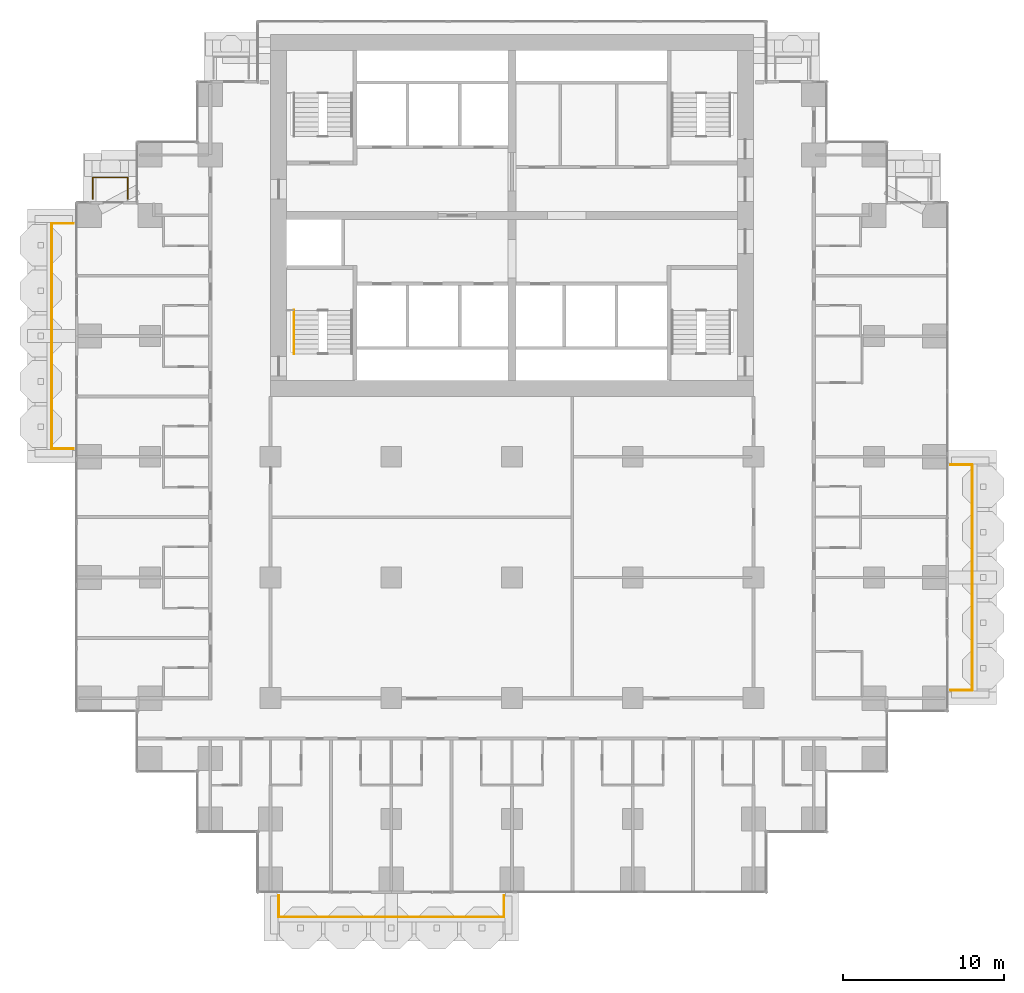
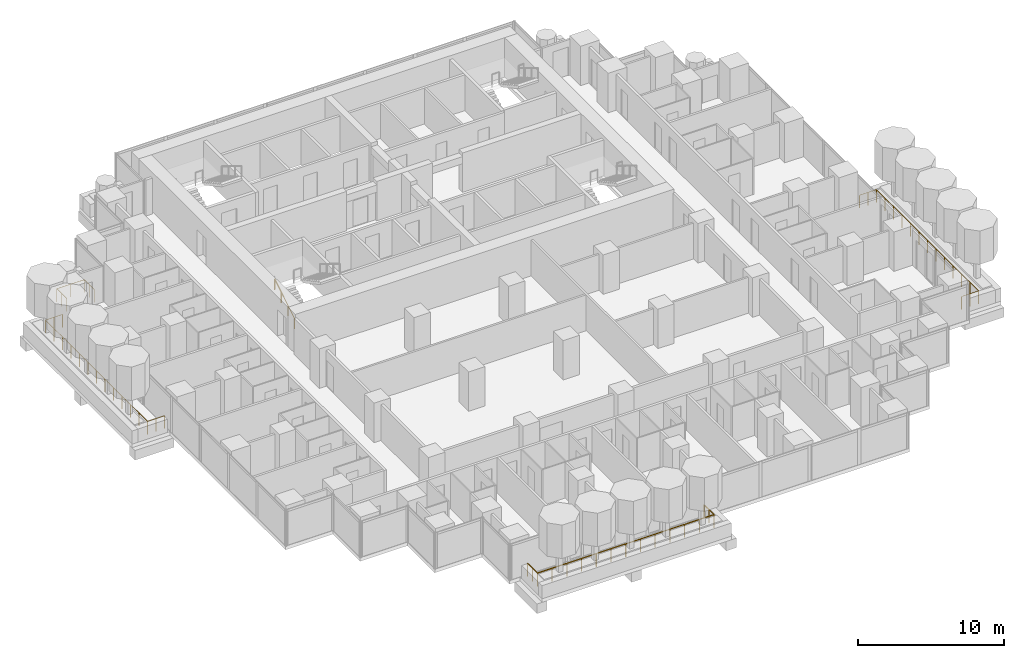
# One storey, part 17 of 19: 5 railings.
"""IFC4 building model written with IfcOpenShell, lengths in metres."""

from ifc_helpers import new_model, si_unit, direction, frame, origin, origin_2d, place, context, subcontext, project, spatial, circle, extrude, material, type_object, element, save


model = new_model("IFC4")

# Units and contexts
model_context = context("Model", 3, precision=1e-05, world=origin(), true_north=direction((0.0, 1.0)))
body_context = subcontext(model_context, "Body", "Model", "MODEL_VIEW")
ifc_project = project(units=[si_unit("LENGTHUNIT", "METRE"), si_unit("AREAUNIT", "SQUARE_METRE"), si_unit("VOLUMEUNIT", "CUBIC_METRE"), si_unit("PLANEANGLEUNIT", "RADIAN"), si_unit("MASSUNIT", "GRAM", prefix="KILO")], contexts=[model_context])

# Site, building, storey
site_placement = place(None, origin())
site = spatial("IfcSite", under=ifc_project, at=site_placement, CompositionType="ELEMENT")
building_placement = place(site_placement, origin())
building = spatial("IfcBuilding", under=site, at=building_placement, Name="Pilkhan Gate Tower", CompositionType="ELEMENT")
storey_placement = place(building_placement, frame((0.0, 0.0, 62.60009765625)))
storey = spatial("IfcBuildingStorey", under=building, at=storey_placement, Name="L13", CompositionType="ELEMENT", Elevation=62.60009765625)

# Railings
ifc_material_1 = material(Name="Pale anodised aluminium posts, laminated glass infill", Category="aluminium")
railing_type_1 = type_object("IfcRailingType", Name="Balcony guard G1", PredefinedType="BALUSTRADE", material=ifc_material_1)
railing_1_placement = place(storey_placement, frame((60.5, 40.25, 0.0)))
element("IfcRailing", 1, at=railing_1_placement, inside=storey, type_object=railing_type_1, Name="Balcony guard L13 S", PredefinedType="BALUSTRADE", context=body_context, shape_type="SweptSolid", body=[
    extrude(circle(Radius=0.02392578125, at=origin_2d()), frame((0.0, 0.0, 1.076171875), z_axis=(0.0, -1.0, 0.0), x_axis=(1.0, 0.0, 0.0)), (0.0, 0.0, 1.0), 1.35009765625),
    extrude(circle(Radius=0.02392578125, at=origin_2d()), frame((0.0, -1.35009765625, 1.076171875), z_axis=(1.0, 0.0, 0.0), x_axis=(0.0, 1.0, 0.0)), (0.0, 0.0, 1.0), 14.0),
    extrude(circle(Radius=0.02392578125, at=origin_2d()), frame((14.0, -1.35009765625, 1.076171875), z_axis=(0.0, 1.0, 0.0), x_axis=(-1.0, 0.0, 0.0)), (0.0, 0.0, 1.0), 1.35009765625),
    extrude(circle(Radius=0.02099609375, at=origin_2d()), origin(), (0.0, 0.0, 1.0), 1.052001953125),
    extrude(circle(Radius=0.02099609375, at=origin_2d()), frame((0.0, -0.675048828125, 0.0)), (0.0, 0.0, 1.0), 1.052001953125),
    extrude(circle(Radius=0.02099609375, at=origin_2d()), frame((0.0, -1.35009765625, 0.0)), (0.0, 0.0, 1.0), 1.052001953125),
    extrude(circle(Radius=0.02099609375, at=origin_2d()), frame((1.166748046875, -1.35009765625, 0.0)), (0.0, 0.0, 1.0), 1.052001953125),
    extrude(circle(Radius=0.02099609375, at=origin_2d()), frame((2.333251953125, -1.35009765625, 0.0)), (0.0, 0.0, 1.0), 1.052001953125),
    extrude(circle(Radius=0.02099609375, at=origin_2d()), frame((3.5, -1.35009765625, 0.0)), (0.0, 0.0, 1.0), 1.052001953125),
    extrude(circle(Radius=0.02099609375, at=origin_2d()), frame((4.666748046875, -1.35009765625, 0.0)), (0.0, 0.0, 1.0), 1.052001953125),
    extrude(circle(Radius=0.02099609375, at=origin_2d()), frame((5.833251953125, -1.35009765625, 0.0)), (0.0, 0.0, 1.0), 1.052001953125),
    extrude(circle(Radius=0.02099609375, at=origin_2d()), frame((7.0, -1.35009765625, 0.0)), (0.0, 0.0, 1.0), 1.052001953125),
    extrude(circle(Radius=0.02099609375, at=origin_2d()), frame((8.166748046875, -1.35009765625, 0.0)), (0.0, 0.0, 1.0), 1.052001953125),
    extrude(circle(Radius=0.02099609375, at=origin_2d()), frame((9.333251953125, -1.35009765625, 0.0)), (0.0, 0.0, 1.0), 1.052001953125),
    extrude(circle(Radius=0.02099609375, at=origin_2d()), frame((10.5, -1.35009765625, 0.0)), (0.0, 0.0, 1.0), 1.052001953125),
    extrude(circle(Radius=0.02099609375, at=origin_2d()), frame((11.666748046875, -1.35009765625, 0.0)), (0.0, 0.0, 1.0), 1.052001953125),
    extrude(circle(Radius=0.02099609375, at=origin_2d()), frame((12.833251953125, -1.35009765625, 0.0)), (0.0, 0.0, 1.0), 1.052001953125),
    extrude(circle(Radius=0.02099609375, at=origin_2d()), frame((14.0, -1.35009765625, 0.0)), (0.0, 0.0, 1.0), 1.052001953125),
    extrude(circle(Radius=0.02099609375, at=origin_2d()), frame((14.0, -0.675048828125, 0.0)), (0.0, 0.0, 1.0), 1.052001953125),
    extrude(circle(Radius=0.02099609375, at=origin_2d()), frame((14.0, 0.0, 0.0)), (0.0, 0.0, 1.0), 1.052001953125),
])
railing_2_placement = place(storey_placement, frame((102.25, 53.0, 0.0)))
element("IfcRailing", 2, at=railing_2_placement, inside=storey, type_object=railing_type_1, Name="Balcony guard L13 E", PredefinedType="BALUSTRADE", context=body_context, shape_type="SweptSolid", body=[
    extrude(circle(Radius=0.02392578125, at=origin_2d()), frame((0.0, 0.0, 1.076171875), z_axis=(1.0, 0.0, 0.0), x_axis=(0.0, 1.0, 0.0)), (0.0, 0.0, 1.0), 1.35009765625),
    extrude(circle(Radius=0.02392578125, at=origin_2d()), frame((1.35009765625, 0.0, 1.076171875), z_axis=(0.0, 1.0, 0.0), x_axis=(-1.0, 0.0, 0.0)), (0.0, 0.0, 1.0), 14.0),
    extrude(circle(Radius=0.02392578125, at=origin_2d()), frame((1.35009765625, 14.0, 1.076171875), z_axis=(-1.0, 0.0, 0.0), x_axis=(0.0, -1.0, 0.0)), (0.0, 0.0, 1.0), 1.35009765625),
    extrude(circle(Radius=0.02099609375, at=origin_2d()), origin(), (0.0, 0.0, 1.0), 1.052001953125),
    extrude(circle(Radius=0.02099609375, at=origin_2d()), frame((0.675048828125, 0.0, 0.0)), (0.0, 0.0, 1.0), 1.052001953125),
    extrude(circle(Radius=0.02099609375, at=origin_2d()), frame((1.35009765625, 0.0, 0.0)), (0.0, 0.0, 1.0), 1.052001953125),
    extrude(circle(Radius=0.02099609375, at=origin_2d()), frame((1.35009765625, 1.166748046875, 0.0)), (0.0, 0.0, 1.0), 1.052001953125),
    extrude(circle(Radius=0.02099609375, at=origin_2d()), frame((1.35009765625, 2.333251953125, 0.0)), (0.0, 0.0, 1.0), 1.052001953125),
    extrude(circle(Radius=0.02099609375, at=origin_2d()), frame((1.35009765625, 3.5, 0.0)), (0.0, 0.0, 1.0), 1.052001953125),
    extrude(circle(Radius=0.02099609375, at=origin_2d()), frame((1.35009765625, 4.666748046875, 0.0)), (0.0, 0.0, 1.0), 1.052001953125),
    extrude(circle(Radius=0.02099609375, at=origin_2d()), frame((1.35009765625, 5.833251953125, 0.0)), (0.0, 0.0, 1.0), 1.052001953125),
    extrude(circle(Radius=0.02099609375, at=origin_2d()), frame((1.35009765625, 7.0, 0.0)), (0.0, 0.0, 1.0), 1.052001953125),
    extrude(circle(Radius=0.02099609375, at=origin_2d()), frame((1.35009765625, 8.166748046875, 0.0)), (0.0, 0.0, 1.0), 1.052001953125),
    extrude(circle(Radius=0.02099609375, at=origin_2d()), frame((1.35009765625, 9.333251953125, 0.0)), (0.0, 0.0, 1.0), 1.052001953125),
    extrude(circle(Radius=0.02099609375, at=origin_2d()), frame((1.35009765625, 10.5, 0.0)), (0.0, 0.0, 1.0), 1.052001953125),
    extrude(circle(Radius=0.02099609375, at=origin_2d()), frame((1.35009765625, 11.666748046875, 0.0)), (0.0, 0.0, 1.0), 1.052001953125),
    extrude(circle(Radius=0.02099609375, at=origin_2d()), frame((1.35009765625, 12.833251953125, 0.0)), (0.0, 0.0, 1.0), 1.052001953125),
    extrude(circle(Radius=0.02099609375, at=origin_2d()), frame((1.35009765625, 14.0, 0.0)), (0.0, 0.0, 1.0), 1.052001953125),
    extrude(circle(Radius=0.02099609375, at=origin_2d()), frame((0.675048828125, 14.0, 0.0)), (0.0, 0.0, 1.0), 1.052001953125),
    extrude(circle(Radius=0.02099609375, at=origin_2d()), frame((0.0, 14.0, 0.0)), (0.0, 0.0, 1.0), 1.052001953125),
])
railing_3_placement = place(storey_placement, frame((48.949951171875, 83.52001953125, 0.0)))
element("IfcRailing", 3, at=railing_3_placement, inside=storey, type_object=railing_type_1, Name="Balcony guard L13 N", PredefinedType="BALUSTRADE", context=body_context, shape_type="SweptSolid", body=[
    extrude(circle(Radius=0.02392578125, at=origin_2d()), frame((0.0, 0.0, 1.076171875), z_axis=(0.0, 1.0, 0.0), x_axis=(-1.0, 0.0, 0.0)), (0.0, 0.0, 1.0), 1.330078125),
    extrude(circle(Radius=0.02392578125, at=origin_2d()), frame((0.0, 1.330078125, 1.076171875), z_axis=(1.0, 0.0, 0.0), x_axis=(0.0, 1.0, 0.0)), (0.0, 0.0, 1.0), 2.179931640625),
    extrude(circle(Radius=0.02392578125, at=origin_2d()), frame((2.179931640625, 1.330078125, 1.076171875), z_axis=(0.0, -1.0, 0.0), x_axis=(1.0, 0.0, 0.0)), (0.0, 0.0, 1.0), 1.330078125),
    extrude(circle(Radius=0.02099609375, at=origin_2d()), origin(), (0.0, 0.0, 1.0), 1.052001953125),
    extrude(circle(Radius=0.02099609375, at=origin_2d()), frame((0.0, 0.6650390625, 0.0)), (0.0, 0.0, 1.0), 1.052001953125),
    extrude(circle(Radius=0.02099609375, at=origin_2d()), frame((0.0, 1.330078125, 0.0)), (0.0, 0.0, 1.0), 1.052001953125),
    extrude(circle(Radius=0.02099609375, at=origin_2d()), frame((1.08984375, 1.330078125, 0.0)), (0.0, 0.0, 1.0), 1.052001953125),
    extrude(circle(Radius=0.02099609375, at=origin_2d()), frame((2.179931640625, 1.330078125, 0.0)), (0.0, 0.0, 1.0), 1.052001953125),
    extrude(circle(Radius=0.02099609375, at=origin_2d()), frame((2.179931640625, 0.6650390625, 0.0)), (0.0, 0.0, 1.0), 1.052001953125),
    extrude(circle(Radius=0.02099609375, at=origin_2d()), frame((2.179931640625, 0.0, 0.0)), (0.0, 0.0, 1.0), 1.052001953125),
])
railing_4_placement = place(storey_placement, frame((47.75, 68.0, 0.0)))
element("IfcRailing", 4, at=railing_4_placement, inside=storey, type_object=railing_type_1, Name="Balcony guard L13 W", PredefinedType="BALUSTRADE", context=body_context, shape_type="SweptSolid", body=[
    extrude(circle(Radius=0.02392578125, at=origin_2d()), frame((0.0, 0.0, 1.076171875), z_axis=(-1.0, 0.0, 0.0), x_axis=(0.0, -1.0, 0.0)), (0.0, 0.0, 1.0), 1.35009765625),
    extrude(circle(Radius=0.02392578125, at=origin_2d()), frame((-1.35009765625, 0.0, 1.076171875), z_axis=(0.0, 1.0, 0.0), x_axis=(-1.0, 0.0, 0.0)), (0.0, 0.0, 1.0), 14.0),
    extrude(circle(Radius=0.02392578125, at=origin_2d()), frame((-1.35009765625, 14.0, 1.076171875), z_axis=(1.0, 0.0, 0.0), x_axis=(0.0, 1.0, 0.0)), (0.0, 0.0, 1.0), 1.35009765625),
    extrude(circle(Radius=0.02099609375, at=origin_2d()), origin(), (0.0, 0.0, 1.0), 1.052001953125),
    extrude(circle(Radius=0.02099609375, at=origin_2d()), frame((-0.675048828125, 0.0, 0.0)), (0.0, 0.0, 1.0), 1.052001953125),
    extrude(circle(Radius=0.02099609375, at=origin_2d()), frame((-1.35009765625, 0.0, 0.0)), (0.0, 0.0, 1.0), 1.052001953125),
    extrude(circle(Radius=0.02099609375, at=origin_2d()), frame((-1.35009765625, 1.166748046875, 0.0)), (0.0, 0.0, 1.0), 1.052001953125),
    extrude(circle(Radius=0.02099609375, at=origin_2d()), frame((-1.35009765625, 2.333251953125, 0.0)), (0.0, 0.0, 1.0), 1.052001953125),
    extrude(circle(Radius=0.02099609375, at=origin_2d()), frame((-1.35009765625, 3.5, 0.0)), (0.0, 0.0, 1.0), 1.052001953125),
    extrude(circle(Radius=0.02099609375, at=origin_2d()), frame((-1.35009765625, 4.666748046875, 0.0)), (0.0, 0.0, 1.0), 1.052001953125),
    extrude(circle(Radius=0.02099609375, at=origin_2d()), frame((-1.35009765625, 5.833251953125, 0.0)), (0.0, 0.0, 1.0), 1.052001953125),
    extrude(circle(Radius=0.02099609375, at=origin_2d()), frame((-1.35009765625, 7.0, 0.0)), (0.0, 0.0, 1.0), 1.052001953125),
    extrude(circle(Radius=0.02099609375, at=origin_2d()), frame((-1.35009765625, 8.166748046875, 0.0)), (0.0, 0.0, 1.0), 1.052001953125),
    extrude(circle(Radius=0.02099609375, at=origin_2d()), frame((-1.35009765625, 9.333251953125, 0.0)), (0.0, 0.0, 1.0), 1.052001953125),
    extrude(circle(Radius=0.02099609375, at=origin_2d()), frame((-1.35009765625, 10.5, 0.0)), (0.0, 0.0, 1.0), 1.052001953125),
    extrude(circle(Radius=0.02099609375, at=origin_2d()), frame((-1.35009765625, 11.666748046875, 0.0)), (0.0, 0.0, 1.0), 1.052001953125),
    extrude(circle(Radius=0.02099609375, at=origin_2d()), frame((-1.35009765625, 12.833251953125, 0.0)), (0.0, 0.0, 1.0), 1.052001953125),
    extrude(circle(Radius=0.02099609375, at=origin_2d()), frame((-1.35009765625, 14.0, 0.0)), (0.0, 0.0, 1.0), 1.052001953125),
    extrude(circle(Radius=0.02099609375, at=origin_2d()), frame((-0.675048828125, 14.0, 0.0)), (0.0, 0.0, 1.0), 1.052001953125),
    extrude(circle(Radius=0.02099609375, at=origin_2d()), frame((0.0, 14.0, 0.0)), (0.0, 0.0, 1.0), 1.052001953125),
])
ifc_material_2 = material(Name="Black powder-coated steel tube", Category="steel")
railing_type_2 = type_object("IfcRailingType", Name="Stair handrail HR1", PredefinedType="HANDRAIL", material=ifc_material_2)
railing_5_placement = place(storey_placement, frame((61.449951171875, 73.89990234375, 0.0)))
element("IfcRailing", 5, at=railing_5_placement, inside=storey, type_object=railing_type_2, Name="Stair ST2 handrail L13", PredefinedType="HANDRAIL", context=body_context, shape_type="SweptSolid", body=[
    extrude(circle(Radius=0.02392578125, at=origin_2d()), frame((0.0, 0.0, 0.8759765625), z_axis=(0.0, 0.853312346642, 0.521400075823), x_axis=(-1.0, 0.0, 0.0)), (0.0, 0.0, 1.0), 3.164306640625),
    extrude(circle(Radius=0.02099609375, at=origin_2d()), origin(), (0.0, 0.0, 1.0), 0.851806640625),
    extrude(circle(Radius=0.02099609375, at=origin_2d()), frame((0.0, 0.900146484375, 0.550048828125)), (0.0, 0.0, 1.0), 0.851806640625),
    extrude(circle(Radius=0.02099609375, at=origin_2d()), frame((0.0, 1.800048828125, 1.099853515625)), (0.0, 0.0, 1.0), 0.851806640625),
    extrude(circle(Radius=0.02099609375, at=origin_2d()), frame((0.0, 2.7001953125, 1.64990234375)), (0.0, 0.0, 1.0), 0.851806640625),
])

save(model, "model.ifc")
